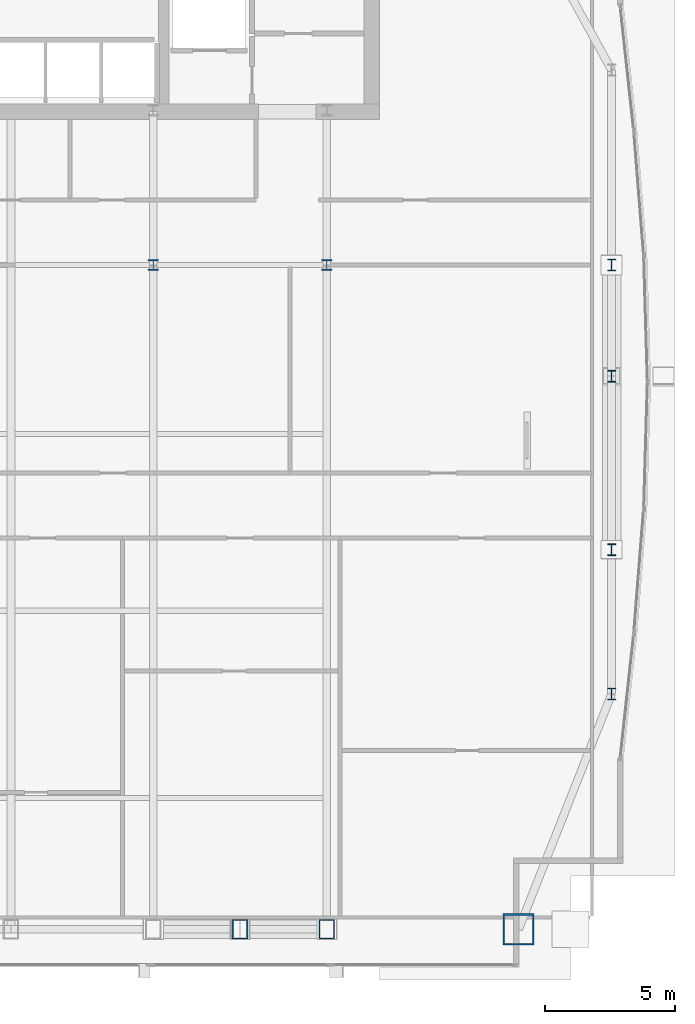
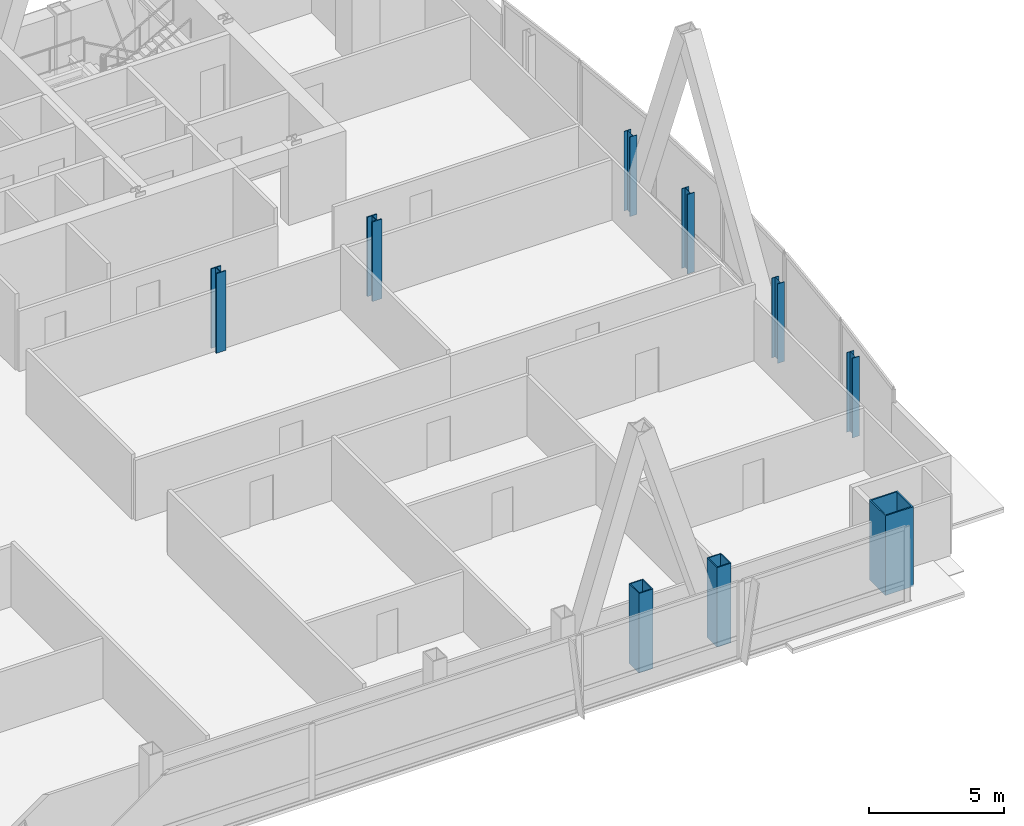
# One storey, part 2 of 32: 9 columns.
"""IFC4 building model written with IfcOpenShell, lengths in metres."""

import ifcopenshell
import ifcopenshell.guid

model = None  # the IFC model being written
_history = None  # IfcOwnerHistory: only IFC2X3 demands one
_inside = {}  # id of a spatial element -> (the spatial element, [elements in it])
_under = {}  # id of a project, library or spatial element -> (it, [spatial elements below it])
_declared = {}  # id of a project -> (the project, [libraries it declares])
_typed = {}  # id of a type object -> (the type object, [elements of that type])
_made_of = {}  # id of a material, layer set ... -> (it, [elements and type objects made of it])


def new_model(schema):
    """Start an empty IFC model of exactly this schema.

    Asked for "IFC4X3", IfcOpenShell would pick the latest addendum, in which some entities
    have other attributes; the version numbers below select the first issue.
    IFC2X3 requires an IfcOwnerHistory on every rooted entity: one is made here for all.
    """
    global model, _history
    if schema == "IFC4X3":
        model = ifcopenshell.file(schema_version=(4, 3, 0, 0))
    else:
        model = ifcopenshell.file(schema=schema)
    _inside.clear()
    _under.clear()
    _declared.clear()
    _typed.clear()
    _made_of.clear()
    _history = None
    if model.schema == "IFC2X3":
        org = make("IfcOrganization", Name="unknown")
        user = make(
            "IfcPersonAndOrganization",
            ThePerson=make("IfcPerson", FamilyName="unknown"),
            TheOrganization=org,
        )
        app = make(
            "IfcApplication",
            ApplicationDeveloper=org,
            Version="unknown",
            ApplicationFullName="unknown",
            ApplicationIdentifier="unknown",
        )
        _history = make(
            "IfcOwnerHistory",
            OwningUser=user,
            OwningApplication=app,
            ChangeAction="ADDED",
            CreationDate=0,
        )
    return model


def make(cls, **values):
    """One entity of the class cls with the attributes given. An attribute that is None is left unset."""
    return model.create_entity(
        cls, **{name: value for name, value in values.items() if value is not None}
    )


def rooted(cls, **values):
    """An entity with a GlobalId (a new one), such as an element, a storey or a relation."""
    return make(cls, GlobalId=ifcopenshell.guid.new(), OwnerHistory=_history, **values)


def si_unit(unit_type, name, prefix=None):
    """IfcSIUnit, for example si_unit("LENGTHUNIT", "METRE", prefix="MILLI")."""
    return make("IfcSIUnit", UnitType=unit_type, Prefix=prefix, Name=name)


def assignment(units):
    """IfcUnitAssignment: the units of a project."""
    return None if units is None else make("IfcUnitAssignment", Units=units)


def point(xyz):
    """IfcCartesianPoint."""
    return None if xyz is None else make("IfcCartesianPoint", Coordinates=xyz)


def direction(xyz):
    """IfcDirection."""
    return None if xyz is None else make("IfcDirection", DirectionRatios=xyz)


def frame(location, z_axis=None, x_axis=None):
    """IfcAxis2Placement3D, a coordinate frame: its origin and axes. An axis left out is left unset."""
    return make(
        "IfcAxis2Placement3D",
        Location=point(location),
        Axis=direction(z_axis),
        RefDirection=direction(x_axis),
    )


def frame_2d(location, x_axis=None):
    """IfcAxis2Placement2D, a coordinate frame in the plane: its origin and x axis."""
    return make(
        "IfcAxis2Placement2D", Location=point(location), RefDirection=direction(x_axis)
    )


def origin():
    """The frame at (0, 0, 0) with its axes left unset."""
    return frame((0.0, 0.0, 0.0))


def origin_2d():
    """The frame at (0, 0) in the plane with its x axis left unset."""
    return frame_2d((0.0, 0.0))


def place(relative_to, where):
    """IfcLocalPlacement: puts the frame where relative to a parent placement (None: the world)."""
    return make(
        "IfcLocalPlacement", PlacementRelTo=relative_to, RelativePlacement=where
    )


def context(
    kind, dimensions, precision=None, world=None, true_north=None, identifier=None
):
    """IfcGeometricRepresentationContext, for example the 3D "Model" context."""
    return make(
        "IfcGeometricRepresentationContext",
        ContextIdentifier=identifier,
        ContextType=kind,
        CoordinateSpaceDimension=dimensions,
        Precision=precision,
        WorldCoordinateSystem=world,
        TrueNorth=true_north,
    )


def subcontext(parent, identifier, kind, view, scale=None):
    """IfcGeometricRepresentationSubContext, for example "Body" below "Model"."""
    return make(
        "IfcGeometricRepresentationSubContext",
        ContextIdentifier=identifier,
        ContextType=kind,
        ParentContext=parent,
        TargetScale=scale,
        TargetView=view,
    )


def project(units=None, contexts=None):
    """IfcProject with its units and contexts."""
    return rooted(
        "IfcProject",
        Name="project",
        RepresentationContexts=contexts,
        UnitsInContext=assignment(units),
    )


def spatial(cls, under=None, at=None, **own):
    """A site, building, storey or space (cls), placed at a placement, below another one or the project."""
    s = rooted(cls, ObjectPlacement=at, **own)
    if under is not None:
        _under.setdefault(under.id(), (under, []))[1].append(s)
    return s


def profile(cls, at=None, kind="AREA", **sizes):
    """A parametric profile (cls). Its sizes go by their IFC names, for example OverallWidth=200.0."""
    return make(cls, ProfileType=kind, Position=at, **sizes)


def hollow_rectangle(**sizes):
    """IfcRectangleHollowProfileDef."""
    return profile("IfcRectangleHollowProfileDef", **sizes)


def i_section(**sizes):
    """IfcIShapeProfileDef."""
    return profile("IfcIShapeProfileDef", **sizes)


def extrude(swept, where, along, depth):
    """IfcExtrudedAreaSolid: the profile swept, set in the frame where, extruded along a direction by depth."""
    return make(
        "IfcExtrudedAreaSolid",
        SweptArea=swept,
        Position=where,
        ExtrudedDirection=direction(along),
        Depth=depth,
    )


def shape(context_of_items, identifier, shape_type, items):
    """IfcShapeRepresentation: the items that make up one representation, for example the "Body"."""
    return make(
        "IfcShapeRepresentation",
        ContextOfItems=context_of_items,
        RepresentationIdentifier=identifier,
        RepresentationType=shape_type,
        Items=items,
    )


def material(Name=None, Category=None):
    """IfcMaterial."""
    return make("IfcMaterial", Name=Name, Category=Category)


def material_profile(
    of_material, cross_section, Name=None, Category=None, Priority=None
):
    """IfcMaterialProfile: a cross section and its material."""
    return make(
        "IfcMaterialProfile",
        Name=Name,
        Material=of_material,
        Profile=cross_section,
        Priority=Priority,
        Category=Category,
    )


def profile_set(profiles, Name=None, composite=None):
    """IfcMaterialProfileSet."""
    return make(
        "IfcMaterialProfileSet",
        Name=Name,
        MaterialProfiles=profiles,
        CompositeProfile=composite,
    )


def made_of(thing, what):
    """Note that an element or type object is made of a material, layer set ...; save() writes the relation."""
    if what is not None:
        _made_of.setdefault(what.id(), (what, []))[1].append(thing)
    return thing


def type_object(cls, material=None, **own):
    """A type object (cls), such as IfcWallType, which elements share."""
    return made_of(rooted(cls, **own), material)


def element(
    cls,
    number,
    at=None,
    inside=None,
    cuts=None,
    type_object=None,
    material=None,
    context=None,
    identifier="Body",
    shape_type=None,
    held_by="IfcProductDefinitionShape",
    body=None,
    shapes=None,
    **own,
):
    """One element of the class cls, such as IfcWall. Its Tag is "e" and its number.

    at: its placement. inside: the storey or other place that contains it. cuts: it is an
    opening in that element (IfcRelVoidsElement). A single representation is given by context,
    identifier, shape_type and body (its items); several are given by shapes. held_by: the class
    of the entity that holds the representations. save() writes the other relations.
    """
    e = rooted(cls, Tag="e%d" % number, ObjectPlacement=at, **own)
    if body is not None:
        shapes = [shape(context, identifier, shape_type, body)]
    if shapes is not None:
        e.Representation = make(held_by, Representations=shapes)
    if inside is not None:
        _inside.setdefault(inside.id(), (inside, []))[1].append(e)
    if cuts is not None:
        rooted(
            "IfcRelVoidsElement", RelatingBuildingElement=cuts, RelatedOpeningElement=e
        )
    if type_object is not None:
        _typed.setdefault(type_object.id(), (type_object, []))[1].append(e)
    return made_of(e, material)


def aggregate(whole, parts):
    """IfcRelAggregates: a whole, such as a stair, and the parts it consists of."""
    return rooted("IfcRelAggregates", RelatingObject=whole, RelatedObjects=parts)


def save(model, path):
    """Write the relations noted so far, then the file.

    IfcRelAggregates (storeys below a building ...), IfcRelContainedInSpatialStructure (elements
    in a storey), IfcRelDefinesByType, IfcRelAssociatesMaterial and IfcRelDeclares: one each for
    every whole, place, type object, material and project.
    """
    for whole, parts in _under.values():
        aggregate(whole, parts)
    for where, things in _inside.values():
        rooted(
            "IfcRelContainedInSpatialStructure",
            RelatedElements=things,
            RelatingStructure=where,
        )
    for kind, things in _typed.values():
        rooted("IfcRelDefinesByType", RelatedObjects=things, RelatingType=kind)
    for what, things in _made_of.values():
        rooted("IfcRelAssociatesMaterial", RelatedObjects=things, RelatingMaterial=what)
    for by, libraries in _declared.values():
        rooted("IfcRelDeclares", RelatingContext=by, RelatedDefinitions=libraries)
    model.write(path)


model = new_model("IFC4")

# Units and contexts
model_context = context("Model", 3, precision=1e-05, world=origin(), true_north=direction((0.0, 1.0)))
body_context = subcontext(model_context, "Body", "Model", "MODEL_VIEW")
ifc_project = project(units=[si_unit("LENGTHUNIT", "METRE"), si_unit("AREAUNIT", "SQUARE_METRE"), si_unit("VOLUMEUNIT", "CUBIC_METRE"), si_unit("PLANEANGLEUNIT", "RADIAN"), si_unit("MASSUNIT", "GRAM", prefix="KILO")], contexts=[model_context])

# Site, building, storey
site_placement = place(None, origin())
site = spatial("IfcSite", under=ifc_project, at=site_placement, CompositionType="ELEMENT")
building_placement = place(site_placement, origin())
building = spatial("IfcBuilding", under=site, at=building_placement, Name="Khoronbel Lancet Exchange", CompositionType="ELEMENT")
storey_placement = place(building_placement, frame((0.0, 0.0, 188.60009765625)))
storey = spatial("IfcBuildingStorey", under=building, at=storey_placement, Name="L47", CompositionType="ELEMENT", Elevation=188.60009765625)

# Columns
ifc_material_1 = material(Name="Steel S460", Category="steel")
ifc_material_profile_1 = material_profile(ifc_material_1, hollow_rectangle(XDim=0.60009765625, YDim=0.75, WallThickness=0.044921875, at=origin_2d()), Name="BOX 750x600x45")
ifc_profile_set_1 = profile_set([ifc_material_profile_1], Name="Steel S460")
column_type_1 = type_object("IfcColumnType", Name="COL-EC3", PredefinedType="COLUMN", material=ifc_profile_set_1)
for number, where, z_axis, x_axis, name in (
    (1, (51.33740234375, 10.14990234375, 0.0), (0.0, 0.0, 1.0), (1.0, 0.0, 0.0), "Structural column SC-EM L47"),
    (2, (54.675048828125, 10.14990234375, 0.0), (0.0, 0.0, 1.0), (1.0, 0.0, 0.0), "Structural column SC-E2 L47"),
):
    element("IfcColumn", number, at=place(storey_placement, frame(where, z_axis=z_axis, x_axis=x_axis)), inside=storey, type_object=column_type_1, Name=name, PredefinedType="COLUMN", context=body_context, shape_type="SweptSolid", body=[
        extrude(hollow_rectangle(XDim=0.60009765625, YDim=0.75, WallThickness=0.044921875, at=origin_2d()), origin(), (0.0, 0.0, 1.0), 3.599853515625),
    ])
ifc_material_2 = material(Name="Steel S355", Category="steel")
ifc_material_profile_2 = material_profile(ifc_material_2, i_section(OverallWidth=0.406005859375, OverallDepth=0.416015625, WebThickness=0.02978515625, FlangeThickness=0.048095703125, at=origin_2d()), Name="HD 400x382")
ifc_profile_set_2 = profile_set([ifc_material_profile_2], Name="Steel S355")
column_type_2 = type_object("IfcColumnType", Name="COL-IC3", PredefinedType="COLUMN", material=ifc_profile_set_2)
for number, where, z_axis, x_axis, name in (
    (3, (48.0, 35.699951171875, 0.0), (0.0, 0.0, 1.0), (1.0, 0.0, 0.0), "Spine gravity column TC3 L47"),
    (4, (54.675048828125, 35.699951171875, 0.0), (0.0, 0.0, 1.0), (1.0, 0.0, 0.0), "Spine gravity column TC4 L47"),
):
    element("IfcColumn", number, at=place(storey_placement, frame(where, z_axis=z_axis, x_axis=x_axis)), inside=storey, type_object=column_type_2, Name=name, PredefinedType="COLUMN", context=body_context, shape_type="SweptSolid", body=[
        extrude(i_section(OverallWidth=0.406005859375, OverallDepth=0.416015625, WebThickness=0.02978515625, FlangeThickness=0.048095703125, at=origin_2d()), origin(), (0.0, 0.0, 1.0), 3.599853515625),
    ])
ifc_material_profile_3 = material_profile(ifc_material_2, i_section(OverallWidth=0.300048828125, OverallDepth=0.449951171875, WebThickness=0.013916015625, FlangeThickness=0.02587890625, at=origin_2d()), Name="HEB 450")
ifc_profile_set_3 = profile_set([ifc_material_profile_3], Name="Steel S355")
column_type_3 = type_object("IfcColumnType", Name="COL-LC2", PredefinedType="COLUMN", material=ifc_profile_set_3)
for number, where, z_axis, x_axis, name in (
    (5, (65.6298828125, 19.199951171875, 0.0), (0.0, 0.0, 1.0), (1.0, 0.0, 0.0), "Structural column EC-1 L47"),
    (6, (65.6298828125, 24.75, 0.0), (0.0, 0.0, 1.0), (1.0, 0.0, 0.0), "Structural column EC-2 L47"),
    (7, (65.6298828125, 31.425048828125, 0.0), (0.0, 0.0, 1.0), (1.0, 0.0, 0.0), "Structural column EC-M L47"),
    (8, (65.6298828125, 35.699951171875, 0.0), (0.0, 0.0, 1.0), (1.0, 0.0, 0.0), "Structural column EC-3 L47"),
):
    element("IfcColumn", number, at=place(storey_placement, frame(where, z_axis=z_axis, x_axis=x_axis)), inside=storey, type_object=column_type_3, Name=name, PredefinedType="COLUMN", context=body_context, shape_type="SweptSolid", body=[
        extrude(i_section(OverallWidth=0.300048828125, OverallDepth=0.449951171875, WebThickness=0.013916015625, FlangeThickness=0.02587890625, at=origin_2d()), origin(), (0.0, 0.0, 1.0), 3.599853515625),
    ])
ifc_material_profile_4 = material_profile(ifc_material_1, hollow_rectangle(XDim=1.199951171875, YDim=1.199951171875, WallThickness=0.06005859375, at=origin_2d()), Name="BOX 1200x1200x60")
ifc_profile_set_4 = profile_set([ifc_material_profile_4], Name="Steel S460")
column_type_4 = type_object("IfcColumnType", Name="COL-MC5", PredefinedType="COLUMN", material=ifc_profile_set_4)
column_placement = place(storey_placement, frame((62.050048828125, 10.14990234375, 0.0), z_axis=(0.0, 0.0, 1.0), x_axis=(1.0, 0.0, 0.0)))
element("IfcColumn", 9, at=column_placement, inside=storey, type_object=column_type_4, Name="Structural column MC-SE L47", PredefinedType="COLUMN", context=body_context, shape_type="SweptSolid", body=[
    extrude(hollow_rectangle(XDim=1.199951171875, YDim=1.199951171875, WallThickness=0.06005859375, at=origin_2d()), origin(), (0.0, 0.0, 1.0), 3.599853515625),
])

save(model, "model.ifc")
